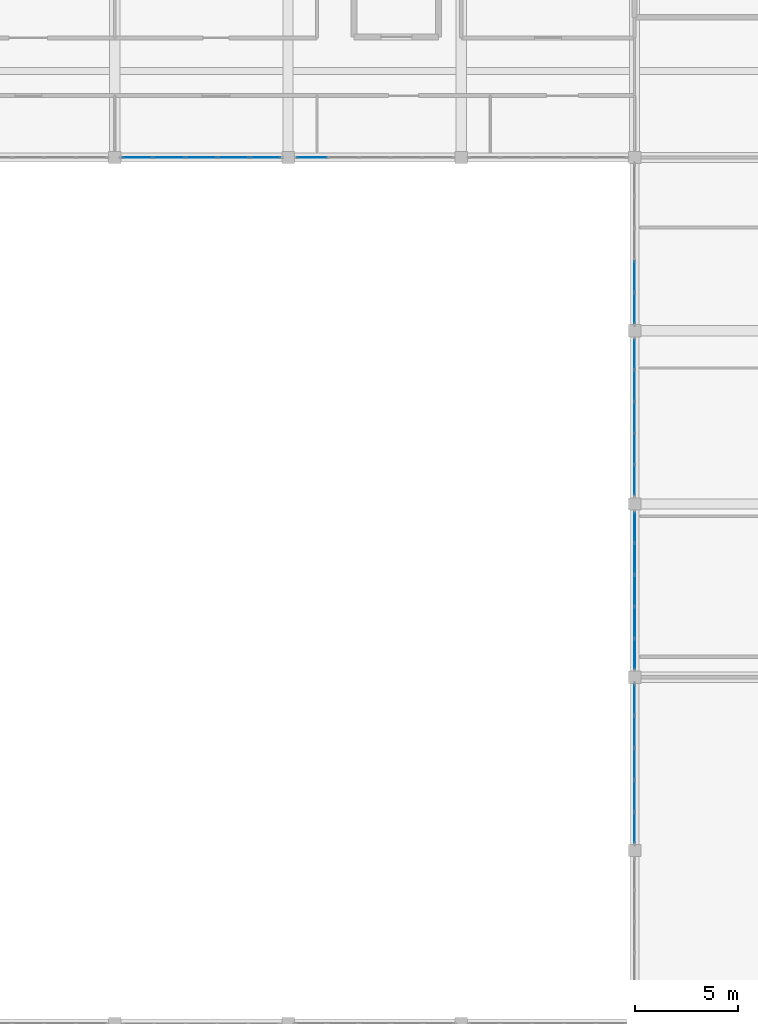
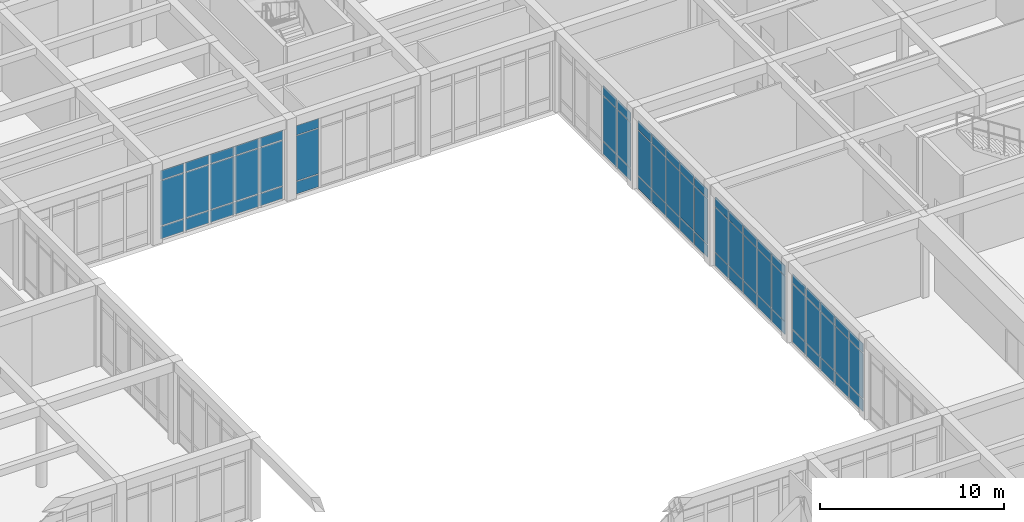
# One storey, part 50 of 89: 69 plates, 6 elements without a shape of their own.
"""IFC4 building model written with IfcOpenShell, lengths in metres."""

from ifc_helpers import new_model, si_unit, direction, frame, origin, origin_2d, place, context, subcontext, project, spatial, rectangle, extrude, material, layer, layer_set, type_object, element, aggregate, save


model = new_model("IFC4")

# Units and contexts
model_context = context("Model", 3, precision=1e-05, world=origin(), true_north=direction((0.0, 1.0)))
body_context = subcontext(model_context, "Body", "Model", "MODEL_VIEW")
ifc_project = project(units=[si_unit("LENGTHUNIT", "METRE"), si_unit("AREAUNIT", "SQUARE_METRE"), si_unit("VOLUMEUNIT", "CUBIC_METRE"), si_unit("PLANEANGLEUNIT", "RADIAN"), si_unit("MASSUNIT", "GRAM", prefix="KILO")], contexts=[model_context])

# Site, building, storey
site_placement = place(None, origin())
site = spatial("IfcSite", under=ifc_project, at=site_placement, CompositionType="ELEMENT")
building_placement = place(site_placement, origin())
building = spatial("IfcBuilding", under=site, at=building_placement, Name="Varncliffe General Hospital", CompositionType="ELEMENT")
storey_placement = place(building_placement, frame((0.0, 0.0, 10.800048828125)))
storey = spatial("IfcBuildingStorey", under=building, at=storey_placement, Name="L02", CompositionType="ELEMENT", Elevation=10.800048828125)

# Curtain wall, plates
ifc_material = material(Name="Triple low-E argon insulated vision glazing", Category="glass")
curtain_wall_type_1 = type_object("IfcCurtainWallType", Name="Unitised Glazed Curtain Wall CW70 (7724x4640)", PredefinedType="USERDEFINED", material=ifc_material)
curtain_wall_1_placement = place(storey_placement, origin())
curtain_wall_1 = element("IfcCurtainWall", 1, at=curtain_wall_1_placement, inside=storey, type_object=curtain_wall_type_1, Name="L02 Glazed Curtain Wall CW70-124", ObjectType="GLAZED CURTAIN WALL", PredefinedType="USERDEFINED")
ifc_layer_1 = layer(ifc_material, 0.0439453125)
ifc_layer_set_1 = layer_set([ifc_layer_1], Name="Triple low-E argon insulated vision glazing")
plate_type_1 = type_object("IfcPlateType", Name="Curtain Wall Glazing Panel CP12 (44mm)", PredefinedType="CURTAIN_PANEL", material=ifc_layer_set_1)
plate_1_placement = place(storey_placement, frame((151.199951171875, 58.729248046875, 0.059814453125), z_axis=(0.0, 0.0, 1.0), x_axis=(0.0, 1.0, 0.0)))
plate_1 = element("IfcPlate", 2, at=plate_1_placement, type_object=plate_type_1, Name="CW70 panel 1.1", PredefinedType="CURTAIN_PANEL", context=body_context, shape_type="SweptSolid", body=[
    extrude(rectangle(XDim=1.432373046875, YDim=0.0439453125, at=origin_2d()), origin(), (0.0, 0.0, 1.0), 0.81005859375),
])
plate_2_placement = place(storey_placement, frame((151.199951171875, 58.729248046875, 0.929931640625), z_axis=(0.0, 0.0, 1.0), x_axis=(0.0, 1.0, 0.0)))
plate_2 = element("IfcPlate", 3, at=plate_2_placement, type_object=plate_type_1, Name="CW70 panel 1.2", PredefinedType="CURTAIN_PANEL", context=body_context, shape_type="SweptSolid", body=[
    extrude(rectangle(XDim=1.432373046875, YDim=0.0439453125, at=origin_2d()), origin(), (0.0, 0.0, 1.0), 2.97998046875),
])
plate_3_placement = place(storey_placement, frame((151.199951171875, 58.729248046875, 3.9697265625), z_axis=(0.0, 0.0, 1.0), x_axis=(0.0, 1.0, 0.0)))
plate_3 = element("IfcPlate", 4, at=plate_3_placement, type_object=plate_type_1, Name="CW70 panel 1.3", PredefinedType="CURTAIN_PANEL", context=body_context, shape_type="SweptSolid", body=[
    extrude(rectangle(XDim=1.432373046875, YDim=0.0439453125, at=origin_2d()), origin(), (0.0, 0.0, 1.0), 0.610107421875),
])
plate_4_placement = place(storey_placement, frame((151.199951171875, 60.255126953125, 0.059814453125), z_axis=(0.0, 0.0, 1.0), x_axis=(0.0, 1.0, 0.0)))
plate_4 = element("IfcPlate", 5, at=plate_4_placement, type_object=plate_type_1, Name="CW70 panel 2.1", PredefinedType="CURTAIN_PANEL", context=body_context, shape_type="SweptSolid", body=[
    extrude(rectangle(XDim=1.4697265625, YDim=0.0439453125, at=origin_2d()), origin(), (0.0, 0.0, 1.0), 0.81005859375),
])
plate_5_placement = place(storey_placement, frame((151.199951171875, 60.255126953125, 0.929931640625), z_axis=(0.0, 0.0, 1.0), x_axis=(0.0, 1.0, 0.0)))
plate_5 = element("IfcPlate", 6, at=plate_5_placement, type_object=plate_type_1, Name="CW70 panel 2.2", PredefinedType="CURTAIN_PANEL", context=body_context, shape_type="SweptSolid", body=[
    extrude(rectangle(XDim=1.4697265625, YDim=0.0439453125, at=origin_2d()), origin(), (0.0, 0.0, 1.0), 2.97998046875),
])
plate_6_placement = place(storey_placement, frame((151.199951171875, 60.255126953125, 3.9697265625), z_axis=(0.0, 0.0, 1.0), x_axis=(0.0, 1.0, 0.0)))
plate_6 = element("IfcPlate", 7, at=plate_6_placement, type_object=plate_type_1, Name="CW70 panel 2.3", PredefinedType="CURTAIN_PANEL", context=body_context, shape_type="SweptSolid", body=[
    extrude(rectangle(XDim=1.4697265625, YDim=0.0439453125, at=origin_2d()), origin(), (0.0, 0.0, 1.0), 0.610107421875),
])
plate_7_placement = place(storey_placement, frame((151.199951171875, 61.800048828125, 0.059814453125), z_axis=(0.0, 0.0, 1.0), x_axis=(0.0, 1.0, 0.0)))
plate_7 = element("IfcPlate", 8, at=plate_7_placement, type_object=plate_type_1, Name="CW70 panel 3.1", PredefinedType="CURTAIN_PANEL", context=body_context, shape_type="SweptSolid", body=[
    extrude(rectangle(XDim=1.4697265625, YDim=0.0439453125, at=origin_2d()), origin(), (0.0, 0.0, 1.0), 0.81005859375),
])
plate_8_placement = place(storey_placement, frame((151.199951171875, 61.800048828125, 0.929931640625), z_axis=(0.0, 0.0, 1.0), x_axis=(0.0, 1.0, 0.0)))
plate_8 = element("IfcPlate", 9, at=plate_8_placement, type_object=plate_type_1, Name="CW70 panel 3.2", PredefinedType="CURTAIN_PANEL", context=body_context, shape_type="SweptSolid", body=[
    extrude(rectangle(XDim=1.4697265625, YDim=0.0439453125, at=origin_2d()), origin(), (0.0, 0.0, 1.0), 2.97998046875),
])
plate_9_placement = place(storey_placement, frame((151.199951171875, 61.800048828125, 3.9697265625), z_axis=(0.0, 0.0, 1.0), x_axis=(0.0, 1.0, 0.0)))
plate_9 = element("IfcPlate", 10, at=plate_9_placement, type_object=plate_type_1, Name="CW70 panel 3.3", PredefinedType="CURTAIN_PANEL", context=body_context, shape_type="SweptSolid", body=[
    extrude(rectangle(XDim=1.4697265625, YDim=0.0439453125, at=origin_2d()), origin(), (0.0, 0.0, 1.0), 0.610107421875),
])
plate_10_placement = place(storey_placement, frame((151.199951171875, 63.3447265625, 0.059814453125), z_axis=(0.0, 0.0, 1.0), x_axis=(0.0, 1.0, 0.0)))
plate_10 = element("IfcPlate", 11, at=plate_10_placement, type_object=plate_type_1, Name="CW70 panel 4.1", PredefinedType="CURTAIN_PANEL", context=body_context, shape_type="SweptSolid", body=[
    extrude(rectangle(XDim=1.4697265625, YDim=0.0439453125, at=origin_2d()), origin(), (0.0, 0.0, 1.0), 0.81005859375),
])
plate_11_placement = place(storey_placement, frame((151.199951171875, 63.3447265625, 0.929931640625), z_axis=(0.0, 0.0, 1.0), x_axis=(0.0, 1.0, 0.0)))
plate_11 = element("IfcPlate", 12, at=plate_11_placement, type_object=plate_type_1, Name="CW70 panel 4.2", PredefinedType="CURTAIN_PANEL", context=body_context, shape_type="SweptSolid", body=[
    extrude(rectangle(XDim=1.4697265625, YDim=0.0439453125, at=origin_2d()), origin(), (0.0, 0.0, 1.0), 2.97998046875),
])
plate_12_placement = place(storey_placement, frame((151.199951171875, 63.3447265625, 3.9697265625), z_axis=(0.0, 0.0, 1.0), x_axis=(0.0, 1.0, 0.0)))
plate_12 = element("IfcPlate", 13, at=plate_12_placement, type_object=plate_type_1, Name="CW70 panel 4.3", PredefinedType="CURTAIN_PANEL", context=body_context, shape_type="SweptSolid", body=[
    extrude(rectangle(XDim=1.4697265625, YDim=0.0439453125, at=origin_2d()), origin(), (0.0, 0.0, 1.0), 0.610107421875),
])
plate_13_placement = place(storey_placement, frame((151.199951171875, 64.870849609375, 0.059814453125), z_axis=(0.0, 0.0, 1.0), x_axis=(0.0, 1.0, 0.0)))
plate_13 = element("IfcPlate", 14, at=plate_13_placement, type_object=plate_type_1, Name="CW70 panel 5.1", PredefinedType="CURTAIN_PANEL", context=body_context, shape_type="SweptSolid", body=[
    extrude(rectangle(XDim=1.432373046875, YDim=0.0439453125, at=origin_2d()), origin(), (0.0, 0.0, 1.0), 0.81005859375),
])
plate_14_placement = place(storey_placement, frame((151.199951171875, 64.870849609375, 0.929931640625), z_axis=(0.0, 0.0, 1.0), x_axis=(0.0, 1.0, 0.0)))
plate_14 = element("IfcPlate", 15, at=plate_14_placement, type_object=plate_type_1, Name="CW70 panel 5.2", PredefinedType="CURTAIN_PANEL", context=body_context, shape_type="SweptSolid", body=[
    extrude(rectangle(XDim=1.432373046875, YDim=0.0439453125, at=origin_2d()), origin(), (0.0, 0.0, 1.0), 2.97998046875),
])
plate_15_placement = place(storey_placement, frame((151.199951171875, 64.870849609375, 3.9697265625), z_axis=(0.0, 0.0, 1.0), x_axis=(0.0, 1.0, 0.0)))
plate_15 = element("IfcPlate", 16, at=plate_15_placement, type_object=plate_type_1, Name="CW70 panel 5.3", PredefinedType="CURTAIN_PANEL", context=body_context, shape_type="SweptSolid", body=[
    extrude(rectangle(XDim=1.432373046875, YDim=0.0439453125, at=origin_2d()), origin(), (0.0, 0.0, 1.0), 0.610107421875),
])
aggregate(curtain_wall_1, [plate_1, plate_2, plate_3, plate_4, plate_5, plate_6, plate_7, plate_8, plate_9, plate_10, plate_11, plate_12, plate_13, plate_14, plate_15])

curtain_wall_type_2 = type_object("IfcCurtainWallType", Name="Unitised Glazed Curtain Wall CW85 (7804x4640)", PredefinedType="USERDEFINED", material=ifc_material)
curtain_wall_2_placement = place(storey_placement, origin())
curtain_wall_2 = element("IfcCurtainWall", 17, at=curtain_wall_2_placement, inside=storey, type_object=curtain_wall_type_2, Name="L02 Glazed Curtain Wall CW85-123", ObjectType="GLAZED CURTAIN WALL", PredefinedType="USERDEFINED")
ifc_layer_2 = layer(ifc_material, 0.035888671875)
ifc_layer_set_2 = layer_set([ifc_layer_2], Name="Triple low-E argon insulated vision glazing")
plate_type_2 = type_object("IfcPlateType", Name="Curtain Wall Glazing Panel CP27 (36mm)", PredefinedType="CURTAIN_PANEL", material=ifc_layer_set_2)
plate_16_placement = place(storey_placement, frame((151.199951171875, 50.297119140625, 0.06494140625), z_axis=(0.0, 0.0, 1.0), x_axis=(0.0, 1.0, 0.0)))
plate_16 = element("IfcPlate", 18, at=plate_16_placement, type_object=plate_type_2, Name="CW85 panel 1.1", PredefinedType="CURTAIN_PANEL", context=body_context, shape_type="SweptSolid", body=[
    extrude(rectangle(XDim=1.4482421875, YDim=0.035888671875, at=origin_2d()), origin(), (0.0, 0.0, 1.0), 0.802490234375),
])
plate_17_placement = place(storey_placement, frame((151.199951171875, 50.297119140625, 0.932373046875), z_axis=(0.0, 0.0, 1.0), x_axis=(0.0, 1.0, 0.0)))
plate_17 = element("IfcPlate", 19, at=plate_17_placement, type_object=plate_type_2, Name="CW85 panel 1.2", PredefinedType="CURTAIN_PANEL", context=body_context, shape_type="SweptSolid", body=[
    extrude(rectangle(XDim=1.4482421875, YDim=0.035888671875, at=origin_2d()), origin(), (0.0, 0.0, 1.0), 2.97509765625),
])
plate_18_placement = place(storey_placement, frame((151.199951171875, 50.297119140625, 3.972412109375), z_axis=(0.0, 0.0, 1.0), x_axis=(0.0, 1.0, 0.0)))
plate_18 = element("IfcPlate", 20, at=plate_18_placement, type_object=plate_type_2, Name="CW85 panel 1.3", PredefinedType="CURTAIN_PANEL", context=body_context, shape_type="SweptSolid", body=[
    extrude(rectangle(XDim=1.4482421875, YDim=0.035888671875, at=origin_2d()), origin(), (0.0, 0.0, 1.0), 0.6025390625),
])
plate_19_placement = place(storey_placement, frame((151.199951171875, 51.839111328125, 0.06494140625), z_axis=(0.0, 0.0, 1.0), x_axis=(0.0, 1.0, 0.0)))
plate_19 = element("IfcPlate", 21, at=plate_19_placement, type_object=plate_type_2, Name="CW85 panel 2.1", PredefinedType="CURTAIN_PANEL", context=body_context, shape_type="SweptSolid", body=[
    extrude(rectangle(XDim=1.48583984375, YDim=0.035888671875, at=origin_2d()), origin(), (0.0, 0.0, 1.0), 0.802490234375),
])
plate_20_placement = place(storey_placement, frame((151.199951171875, 51.839111328125, 0.932373046875), z_axis=(0.0, 0.0, 1.0), x_axis=(0.0, 1.0, 0.0)))
plate_20 = element("IfcPlate", 22, at=plate_20_placement, type_object=plate_type_2, Name="CW85 panel 2.2", PredefinedType="CURTAIN_PANEL", context=body_context, shape_type="SweptSolid", body=[
    extrude(rectangle(XDim=1.48583984375, YDim=0.035888671875, at=origin_2d()), origin(), (0.0, 0.0, 1.0), 2.97509765625),
])
plate_21_placement = place(storey_placement, frame((151.199951171875, 51.839111328125, 3.972412109375), z_axis=(0.0, 0.0, 1.0), x_axis=(0.0, 1.0, 0.0)))
plate_21 = element("IfcPlate", 23, at=plate_21_placement, type_object=plate_type_2, Name="CW85 panel 2.3", PredefinedType="CURTAIN_PANEL", context=body_context, shape_type="SweptSolid", body=[
    extrude(rectangle(XDim=1.48583984375, YDim=0.035888671875, at=origin_2d()), origin(), (0.0, 0.0, 1.0), 0.6025390625),
])
plate_22_placement = place(storey_placement, frame((151.199951171875, 53.39990234375, 0.06494140625), z_axis=(0.0, 0.0, 1.0), x_axis=(0.0, 1.0, 0.0)))
plate_22 = element("IfcPlate", 24, at=plate_22_placement, type_object=plate_type_2, Name="CW85 panel 3.1", PredefinedType="CURTAIN_PANEL", context=body_context, shape_type="SweptSolid", body=[
    extrude(rectangle(XDim=1.48583984375, YDim=0.035888671875, at=origin_2d()), origin(), (0.0, 0.0, 1.0), 0.802490234375),
])
plate_23_placement = place(storey_placement, frame((151.199951171875, 53.39990234375, 0.932373046875), z_axis=(0.0, 0.0, 1.0), x_axis=(0.0, 1.0, 0.0)))
plate_23 = element("IfcPlate", 25, at=plate_23_placement, type_object=plate_type_2, Name="CW85 panel 3.2", PredefinedType="CURTAIN_PANEL", context=body_context, shape_type="SweptSolid", body=[
    extrude(rectangle(XDim=1.48583984375, YDim=0.035888671875, at=origin_2d()), origin(), (0.0, 0.0, 1.0), 2.97509765625),
])
plate_24_placement = place(storey_placement, frame((151.199951171875, 53.39990234375, 3.972412109375), z_axis=(0.0, 0.0, 1.0), x_axis=(0.0, 1.0, 0.0)))
plate_24 = element("IfcPlate", 26, at=plate_24_placement, type_object=plate_type_2, Name="CW85 panel 3.3", PredefinedType="CURTAIN_PANEL", context=body_context, shape_type="SweptSolid", body=[
    extrude(rectangle(XDim=1.48583984375, YDim=0.035888671875, at=origin_2d()), origin(), (0.0, 0.0, 1.0), 0.6025390625),
])
plate_25_placement = place(storey_placement, frame((151.199951171875, 54.960693359375, 0.06494140625), z_axis=(0.0, 0.0, 1.0), x_axis=(0.0, 1.0, 0.0)))
plate_25 = element("IfcPlate", 27, at=plate_25_placement, type_object=plate_type_2, Name="CW85 panel 4.1", PredefinedType="CURTAIN_PANEL", context=body_context, shape_type="SweptSolid", body=[
    extrude(rectangle(XDim=1.48583984375, YDim=0.035888671875, at=origin_2d()), origin(), (0.0, 0.0, 1.0), 0.802490234375),
])
plate_26_placement = place(storey_placement, frame((151.199951171875, 54.960693359375, 0.932373046875), z_axis=(0.0, 0.0, 1.0), x_axis=(0.0, 1.0, 0.0)))
plate_26 = element("IfcPlate", 28, at=plate_26_placement, type_object=plate_type_2, Name="CW85 panel 4.2", PredefinedType="CURTAIN_PANEL", context=body_context, shape_type="SweptSolid", body=[
    extrude(rectangle(XDim=1.48583984375, YDim=0.035888671875, at=origin_2d()), origin(), (0.0, 0.0, 1.0), 2.97509765625),
])
plate_27_placement = place(storey_placement, frame((151.199951171875, 54.960693359375, 3.972412109375), z_axis=(0.0, 0.0, 1.0), x_axis=(0.0, 1.0, 0.0)))
plate_27 = element("IfcPlate", 29, at=plate_27_placement, type_object=plate_type_2, Name="CW85 panel 4.3", PredefinedType="CURTAIN_PANEL", context=body_context, shape_type="SweptSolid", body=[
    extrude(rectangle(XDim=1.48583984375, YDim=0.035888671875, at=origin_2d()), origin(), (0.0, 0.0, 1.0), 0.6025390625),
])
plate_28_placement = place(storey_placement, frame((151.199951171875, 56.5029296875, 0.06494140625), z_axis=(0.0, 0.0, 1.0), x_axis=(0.0, 1.0, 0.0)))
plate_28 = element("IfcPlate", 30, at=plate_28_placement, type_object=plate_type_2, Name="CW85 panel 5.1", PredefinedType="CURTAIN_PANEL", context=body_context, shape_type="SweptSolid", body=[
    extrude(rectangle(XDim=1.4482421875, YDim=0.035888671875, at=origin_2d()), origin(), (0.0, 0.0, 1.0), 0.802490234375),
])
plate_29_placement = place(storey_placement, frame((151.199951171875, 56.5029296875, 0.932373046875), z_axis=(0.0, 0.0, 1.0), x_axis=(0.0, 1.0, 0.0)))
plate_29 = element("IfcPlate", 31, at=plate_29_placement, type_object=plate_type_2, Name="CW85 panel 5.2", PredefinedType="CURTAIN_PANEL", context=body_context, shape_type="SweptSolid", body=[
    extrude(rectangle(XDim=1.4482421875, YDim=0.035888671875, at=origin_2d()), origin(), (0.0, 0.0, 1.0), 2.97509765625),
])
plate_30_placement = place(storey_placement, frame((151.199951171875, 56.5029296875, 3.972412109375), z_axis=(0.0, 0.0, 1.0), x_axis=(0.0, 1.0, 0.0)))
plate_30 = element("IfcPlate", 32, at=plate_30_placement, type_object=plate_type_2, Name="CW85 panel 5.3", PredefinedType="CURTAIN_PANEL", context=body_context, shape_type="SweptSolid", body=[
    extrude(rectangle(XDim=1.4482421875, YDim=0.035888671875, at=origin_2d()), origin(), (0.0, 0.0, 1.0), 0.6025390625),
])
aggregate(curtain_wall_2, [plate_16, plate_17, plate_18, plate_19, plate_20, plate_21, plate_22, plate_23, plate_24, plate_25, plate_26, plate_27, plate_28, plate_29, plate_30])

curtain_wall_3_placement = place(storey_placement, origin())
curtain_wall_3 = element("IfcCurtainWall", 33, at=curtain_wall_3_placement, inside=storey, type_object=curtain_wall_type_2, Name="L02 Glazed Curtain Wall CW85-126", ObjectType="GLAZED CURTAIN WALL", PredefinedType="USERDEFINED")
plate_31_placement = place(storey_placement, frame((151.199951171875, 75.4970703125, 0.06494140625), z_axis=(0.0, 0.0, 1.0), x_axis=(0.0, 1.0, 0.0)))
plate_31 = element("IfcPlate", 34, at=plate_31_placement, type_object=plate_type_2, Name="CW85 panel 1.1", PredefinedType="CURTAIN_PANEL", context=body_context, shape_type="SweptSolid", body=[
    extrude(rectangle(XDim=1.4482421875, YDim=0.035888671875, at=origin_2d()), origin(), (0.0, 0.0, 1.0), 0.802490234375),
])
plate_32_placement = place(storey_placement, frame((151.199951171875, 75.4970703125, 0.932373046875), z_axis=(0.0, 0.0, 1.0), x_axis=(0.0, 1.0, 0.0)))
plate_32 = element("IfcPlate", 35, at=plate_32_placement, type_object=plate_type_2, Name="CW85 panel 1.2", PredefinedType="CURTAIN_PANEL", context=body_context, shape_type="SweptSolid", body=[
    extrude(rectangle(XDim=1.4482421875, YDim=0.035888671875, at=origin_2d()), origin(), (0.0, 0.0, 1.0), 2.97509765625),
])
plate_33_placement = place(storey_placement, frame((151.199951171875, 75.4970703125, 3.972412109375), z_axis=(0.0, 0.0, 1.0), x_axis=(0.0, 1.0, 0.0)))
plate_33 = element("IfcPlate", 36, at=plate_33_placement, type_object=plate_type_2, Name="CW85 panel 1.3", PredefinedType="CURTAIN_PANEL", context=body_context, shape_type="SweptSolid", body=[
    extrude(rectangle(XDim=1.4482421875, YDim=0.035888671875, at=origin_2d()), origin(), (0.0, 0.0, 1.0), 0.6025390625),
])
plate_34_placement = place(storey_placement, frame((151.199951171875, 77.039306640625, 0.06494140625), z_axis=(0.0, 0.0, 1.0), x_axis=(0.0, 1.0, 0.0)))
plate_34 = element("IfcPlate", 37, at=plate_34_placement, type_object=plate_type_2, Name="CW85 panel 2.1", PredefinedType="CURTAIN_PANEL", context=body_context, shape_type="SweptSolid", body=[
    extrude(rectangle(XDim=1.48583984375, YDim=0.035888671875, at=origin_2d()), origin(), (0.0, 0.0, 1.0), 0.802490234375),
])
plate_35_placement = place(storey_placement, frame((151.199951171875, 77.039306640625, 0.932373046875), z_axis=(0.0, 0.0, 1.0), x_axis=(0.0, 1.0, 0.0)))
plate_35 = element("IfcPlate", 38, at=plate_35_placement, type_object=plate_type_2, Name="CW85 panel 2.2", PredefinedType="CURTAIN_PANEL", context=body_context, shape_type="SweptSolid", body=[
    extrude(rectangle(XDim=1.48583984375, YDim=0.035888671875, at=origin_2d()), origin(), (0.0, 0.0, 1.0), 2.97509765625),
])
plate_36_placement = place(storey_placement, frame((151.199951171875, 77.039306640625, 3.972412109375), z_axis=(0.0, 0.0, 1.0), x_axis=(0.0, 1.0, 0.0)))
plate_36 = element("IfcPlate", 39, at=plate_36_placement, type_object=plate_type_2, Name="CW85 panel 2.3", PredefinedType="CURTAIN_PANEL", context=body_context, shape_type="SweptSolid", body=[
    extrude(rectangle(XDim=1.48583984375, YDim=0.035888671875, at=origin_2d()), origin(), (0.0, 0.0, 1.0), 0.6025390625),
])
aggregate(curtain_wall_3, [plate_31, plate_32, plate_33, plate_34, plate_35, plate_36])

curtain_wall_4_placement = place(storey_placement, origin())
curtain_wall_4 = element("IfcCurtainWall", 40, at=curtain_wall_4_placement, inside=storey, type_object=curtain_wall_type_2, Name="L02 Glazed Curtain Wall CW85-129", ObjectType="GLAZED CURTAIN WALL", PredefinedType="USERDEFINED")
plate_37_placement = place(storey_placement, frame((133.302734375, 82.800048828125, 0.06494140625), z_axis=(0.0, 0.0, 1.0), x_axis=(-1.0, 0.0, 0.0)))
plate_37 = element("IfcPlate", 41, at=plate_37_placement, type_object=plate_type_2, Name="CW85 panel 1.1", PredefinedType="CURTAIN_PANEL", context=body_context, shape_type="SweptSolid", body=[
    extrude(rectangle(XDim=1.4482421875, YDim=0.035888671875, at=origin_2d()), origin(), (0.0, 0.0, 1.0), 0.802490234375),
])
plate_38_placement = place(storey_placement, frame((133.302734375, 82.800048828125, 0.932373046875), z_axis=(0.0, 0.0, 1.0), x_axis=(-1.0, 0.0, 0.0)))
plate_38 = element("IfcPlate", 42, at=plate_38_placement, type_object=plate_type_2, Name="CW85 panel 1.2", PredefinedType="CURTAIN_PANEL", context=body_context, shape_type="SweptSolid", body=[
    extrude(rectangle(XDim=1.4482421875, YDim=0.035888671875, at=origin_2d()), origin(), (0.0, 0.0, 1.0), 2.97509765625),
])
plate_39_placement = place(storey_placement, frame((133.302734375, 82.800048828125, 3.972412109375), z_axis=(0.0, 0.0, 1.0), x_axis=(-1.0, 0.0, 0.0)))
plate_39 = element("IfcPlate", 43, at=plate_39_placement, type_object=plate_type_2, Name="CW85 panel 1.3", PredefinedType="CURTAIN_PANEL", context=body_context, shape_type="SweptSolid", body=[
    extrude(rectangle(XDim=1.4482421875, YDim=0.035888671875, at=origin_2d()), origin(), (0.0, 0.0, 1.0), 0.6025390625),
])
plate_40_placement = place(storey_placement, frame((131.7607421875, 82.800048828125, 0.06494140625), z_axis=(0.0, 0.0, 1.0), x_axis=(-1.0, 0.0, 0.0)))
plate_40 = element("IfcPlate", 44, at=plate_40_placement, type_object=plate_type_2, Name="CW85 panel 2.1", PredefinedType="CURTAIN_PANEL", context=body_context, shape_type="SweptSolid", body=[
    extrude(rectangle(XDim=1.48583984375, YDim=0.035888671875, at=origin_2d()), origin(), (0.0, 0.0, 1.0), 0.802490234375),
])
plate_41_placement = place(storey_placement, frame((131.7607421875, 82.800048828125, 0.932373046875), z_axis=(0.0, 0.0, 1.0), x_axis=(-1.0, 0.0, 0.0)))
plate_41 = element("IfcPlate", 45, at=plate_41_placement, type_object=plate_type_2, Name="CW85 panel 2.2", PredefinedType="CURTAIN_PANEL", context=body_context, shape_type="SweptSolid", body=[
    extrude(rectangle(XDim=1.48583984375, YDim=0.035888671875, at=origin_2d()), origin(), (0.0, 0.0, 1.0), 2.97509765625),
])
plate_42_placement = place(storey_placement, frame((131.7607421875, 82.800048828125, 3.972412109375), z_axis=(0.0, 0.0, 1.0), x_axis=(-1.0, 0.0, 0.0)))
plate_42 = element("IfcPlate", 46, at=plate_42_placement, type_object=plate_type_2, Name="CW85 panel 2.3", PredefinedType="CURTAIN_PANEL", context=body_context, shape_type="SweptSolid", body=[
    extrude(rectangle(XDim=1.48583984375, YDim=0.035888671875, at=origin_2d()), origin(), (0.0, 0.0, 1.0), 0.6025390625),
])
plate_43_placement = place(storey_placement, frame((130.199951171875, 82.800048828125, 0.06494140625), z_axis=(0.0, 0.0, 1.0), x_axis=(-1.0, 0.0, 0.0)))
plate_43 = element("IfcPlate", 47, at=plate_43_placement, type_object=plate_type_2, Name="CW85 panel 3.1", PredefinedType="CURTAIN_PANEL", context=body_context, shape_type="SweptSolid", body=[
    extrude(rectangle(XDim=1.48583984375, YDim=0.035888671875, at=origin_2d()), origin(), (0.0, 0.0, 1.0), 0.802490234375),
])
plate_44_placement = place(storey_placement, frame((130.199951171875, 82.800048828125, 0.932373046875), z_axis=(0.0, 0.0, 1.0), x_axis=(-1.0, 0.0, 0.0)))
plate_44 = element("IfcPlate", 48, at=plate_44_placement, type_object=plate_type_2, Name="CW85 panel 3.2", PredefinedType="CURTAIN_PANEL", context=body_context, shape_type="SweptSolid", body=[
    extrude(rectangle(XDim=1.48583984375, YDim=0.035888671875, at=origin_2d()), origin(), (0.0, 0.0, 1.0), 2.97509765625),
])
plate_45_placement = place(storey_placement, frame((130.199951171875, 82.800048828125, 3.972412109375), z_axis=(0.0, 0.0, 1.0), x_axis=(-1.0, 0.0, 0.0)))
plate_45 = element("IfcPlate", 49, at=plate_45_placement, type_object=plate_type_2, Name="CW85 panel 3.3", PredefinedType="CURTAIN_PANEL", context=body_context, shape_type="SweptSolid", body=[
    extrude(rectangle(XDim=1.48583984375, YDim=0.035888671875, at=origin_2d()), origin(), (0.0, 0.0, 1.0), 0.6025390625),
])
plate_46_placement = place(storey_placement, frame((128.63916015625, 82.800048828125, 0.06494140625), z_axis=(0.0, 0.0, 1.0), x_axis=(-1.0, 0.0, 0.0)))
plate_46 = element("IfcPlate", 50, at=plate_46_placement, type_object=plate_type_2, Name="CW85 panel 4.1", PredefinedType="CURTAIN_PANEL", context=body_context, shape_type="SweptSolid", body=[
    extrude(rectangle(XDim=1.48583984375, YDim=0.035888671875, at=origin_2d()), origin(), (0.0, 0.0, 1.0), 0.802490234375),
])
plate_47_placement = place(storey_placement, frame((128.63916015625, 82.800048828125, 0.932373046875), z_axis=(0.0, 0.0, 1.0), x_axis=(-1.0, 0.0, 0.0)))
plate_47 = element("IfcPlate", 51, at=plate_47_placement, type_object=plate_type_2, Name="CW85 panel 4.2", PredefinedType="CURTAIN_PANEL", context=body_context, shape_type="SweptSolid", body=[
    extrude(rectangle(XDim=1.48583984375, YDim=0.035888671875, at=origin_2d()), origin(), (0.0, 0.0, 1.0), 2.97509765625),
])
plate_48_placement = place(storey_placement, frame((128.63916015625, 82.800048828125, 3.972412109375), z_axis=(0.0, 0.0, 1.0), x_axis=(-1.0, 0.0, 0.0)))
plate_48 = element("IfcPlate", 52, at=plate_48_placement, type_object=plate_type_2, Name="CW85 panel 4.3", PredefinedType="CURTAIN_PANEL", context=body_context, shape_type="SweptSolid", body=[
    extrude(rectangle(XDim=1.48583984375, YDim=0.035888671875, at=origin_2d()), origin(), (0.0, 0.0, 1.0), 0.6025390625),
])
plate_49_placement = place(storey_placement, frame((127.09716796875, 82.800048828125, 0.06494140625), z_axis=(0.0, 0.0, 1.0), x_axis=(-1.0, 0.0, 0.0)))
plate_49 = element("IfcPlate", 53, at=plate_49_placement, type_object=plate_type_2, Name="CW85 panel 5.1", PredefinedType="CURTAIN_PANEL", context=body_context, shape_type="SweptSolid", body=[
    extrude(rectangle(XDim=1.4482421875, YDim=0.035888671875, at=origin_2d()), origin(), (0.0, 0.0, 1.0), 0.802490234375),
])
plate_50_placement = place(storey_placement, frame((127.09716796875, 82.800048828125, 0.932373046875), z_axis=(0.0, 0.0, 1.0), x_axis=(-1.0, 0.0, 0.0)))
plate_50 = element("IfcPlate", 54, at=plate_50_placement, type_object=plate_type_2, Name="CW85 panel 5.2", PredefinedType="CURTAIN_PANEL", context=body_context, shape_type="SweptSolid", body=[
    extrude(rectangle(XDim=1.4482421875, YDim=0.035888671875, at=origin_2d()), origin(), (0.0, 0.0, 1.0), 2.97509765625),
])
plate_51_placement = place(storey_placement, frame((127.09716796875, 82.800048828125, 3.972412109375), z_axis=(0.0, 0.0, 1.0), x_axis=(-1.0, 0.0, 0.0)))
plate_51 = element("IfcPlate", 55, at=plate_51_placement, type_object=plate_type_2, Name="CW85 panel 5.3", PredefinedType="CURTAIN_PANEL", context=body_context, shape_type="SweptSolid", body=[
    extrude(rectangle(XDim=1.4482421875, YDim=0.035888671875, at=origin_2d()), origin(), (0.0, 0.0, 1.0), 0.6025390625),
])
aggregate(curtain_wall_4, [plate_37, plate_38, plate_39, plate_40, plate_41, plate_42, plate_43, plate_44, plate_45, plate_46, plate_47, plate_48, plate_49, plate_50, plate_51])

curtain_wall_type_3 = type_object("IfcCurtainWallType", Name="Unitised Glazed Curtain Wall CW27 (7644x4640)", PredefinedType="USERDEFINED", material=ifc_material)
curtain_wall_5_placement = place(storey_placement, origin())
curtain_wall_5 = element("IfcCurtainWall", 56, at=curtain_wall_5_placement, inside=storey, type_object=curtain_wall_type_3, Name="L02 Glazed Curtain Wall CW27-125", ObjectType="GLAZED CURTAIN WALL", PredefinedType="USERDEFINED")
ifc_layer_3 = layer(ifc_material, 0.028076171875)
ifc_layer_set_3 = layer_set([ifc_layer_3], Name="Triple low-E argon insulated vision glazing")
plate_type_3 = type_object("IfcPlateType", Name="Curtain Wall Glazing Panel CP48 (28mm)", PredefinedType="CURTAIN_PANEL", material=ifc_layer_set_3)
plate_52_placement = place(storey_placement, frame((151.199951171875, 67.15869140625, 0.059814453125), z_axis=(0.0, 0.0, 1.0), x_axis=(0.0, 1.0, 0.0)))
plate_52 = element("IfcPlate", 57, at=plate_52_placement, type_object=plate_type_3, Name="CW27 panel 1.1", PredefinedType="CURTAIN_PANEL", context=body_context, shape_type="SweptSolid", body=[
    extrude(rectangle(XDim=1.431396484375, YDim=0.028076171875, at=origin_2d()), origin(), (0.0, 0.0, 1.0), 0.81005859375),
])
plate_53_placement = place(storey_placement, frame((151.199951171875, 67.15869140625, 0.929931640625), z_axis=(0.0, 0.0, 1.0), x_axis=(0.0, 1.0, 0.0)))
plate_53 = element("IfcPlate", 58, at=plate_53_placement, type_object=plate_type_3, Name="CW27 panel 1.2", PredefinedType="CURTAIN_PANEL", context=body_context, shape_type="SweptSolid", body=[
    extrude(rectangle(XDim=1.431396484375, YDim=0.028076171875, at=origin_2d()), origin(), (0.0, 0.0, 1.0), 2.97998046875),
])
plate_54_placement = place(storey_placement, frame((151.199951171875, 67.15869140625, 3.9697265625), z_axis=(0.0, 0.0, 1.0), x_axis=(0.0, 1.0, 0.0)))
plate_54 = element("IfcPlate", 59, at=plate_54_placement, type_object=plate_type_3, Name="CW27 panel 1.3", PredefinedType="CURTAIN_PANEL", context=body_context, shape_type="SweptSolid", body=[
    extrude(rectangle(XDim=1.431396484375, YDim=0.028076171875, at=origin_2d()), origin(), (0.0, 0.0, 1.0), 0.610107421875),
])
plate_55_placement = place(storey_placement, frame((151.199951171875, 68.671142578125, 0.059814453125), z_axis=(0.0, 0.0, 1.0), x_axis=(0.0, 1.0, 0.0)))
plate_55 = element("IfcPlate", 60, at=plate_55_placement, type_object=plate_type_3, Name="CW27 panel 2.1", PredefinedType="CURTAIN_PANEL", context=body_context, shape_type="SweptSolid", body=[
    extrude(rectangle(XDim=1.4638671875, YDim=0.028076171875, at=origin_2d()), origin(), (0.0, 0.0, 1.0), 0.81005859375),
])
plate_56_placement = place(storey_placement, frame((151.199951171875, 68.671142578125, 0.929931640625), z_axis=(0.0, 0.0, 1.0), x_axis=(0.0, 1.0, 0.0)))
plate_56 = element("IfcPlate", 61, at=plate_56_placement, type_object=plate_type_3, Name="CW27 panel 2.2", PredefinedType="CURTAIN_PANEL", context=body_context, shape_type="SweptSolid", body=[
    extrude(rectangle(XDim=1.4638671875, YDim=0.028076171875, at=origin_2d()), origin(), (0.0, 0.0, 1.0), 2.97998046875),
])
plate_57_placement = place(storey_placement, frame((151.199951171875, 68.671142578125, 3.9697265625), z_axis=(0.0, 0.0, 1.0), x_axis=(0.0, 1.0, 0.0)))
plate_57 = element("IfcPlate", 62, at=plate_57_placement, type_object=plate_type_3, Name="CW27 panel 2.3", PredefinedType="CURTAIN_PANEL", context=body_context, shape_type="SweptSolid", body=[
    extrude(rectangle(XDim=1.4638671875, YDim=0.028076171875, at=origin_2d()), origin(), (0.0, 0.0, 1.0), 0.610107421875),
])
plate_58_placement = place(storey_placement, frame((151.199951171875, 70.199951171875, 0.059814453125), z_axis=(0.0, 0.0, 1.0), x_axis=(0.0, 1.0, 0.0)))
plate_58 = element("IfcPlate", 63, at=plate_58_placement, type_object=plate_type_3, Name="CW27 panel 3.1", PredefinedType="CURTAIN_PANEL", context=body_context, shape_type="SweptSolid", body=[
    extrude(rectangle(XDim=1.4638671875, YDim=0.028076171875, at=origin_2d()), origin(), (0.0, 0.0, 1.0), 0.81005859375),
])
plate_59_placement = place(storey_placement, frame((151.199951171875, 70.199951171875, 0.929931640625), z_axis=(0.0, 0.0, 1.0), x_axis=(0.0, 1.0, 0.0)))
plate_59 = element("IfcPlate", 64, at=plate_59_placement, type_object=plate_type_3, Name="CW27 panel 3.2", PredefinedType="CURTAIN_PANEL", context=body_context, shape_type="SweptSolid", body=[
    extrude(rectangle(XDim=1.4638671875, YDim=0.028076171875, at=origin_2d()), origin(), (0.0, 0.0, 1.0), 2.97998046875),
])
plate_60_placement = place(storey_placement, frame((151.199951171875, 70.199951171875, 3.9697265625), z_axis=(0.0, 0.0, 1.0), x_axis=(0.0, 1.0, 0.0)))
plate_60 = element("IfcPlate", 65, at=plate_60_placement, type_object=plate_type_3, Name="CW27 panel 3.3", PredefinedType="CURTAIN_PANEL", context=body_context, shape_type="SweptSolid", body=[
    extrude(rectangle(XDim=1.4638671875, YDim=0.028076171875, at=origin_2d()), origin(), (0.0, 0.0, 1.0), 0.610107421875),
])
plate_61_placement = place(storey_placement, frame((151.199951171875, 71.728759765625, 0.059814453125), z_axis=(0.0, 0.0, 1.0), x_axis=(0.0, 1.0, 0.0)))
plate_61 = element("IfcPlate", 66, at=plate_61_placement, type_object=plate_type_3, Name="CW27 panel 4.1", PredefinedType="CURTAIN_PANEL", context=body_context, shape_type="SweptSolid", body=[
    extrude(rectangle(XDim=1.4638671875, YDim=0.028076171875, at=origin_2d()), origin(), (0.0, 0.0, 1.0), 0.81005859375),
])
plate_62_placement = place(storey_placement, frame((151.199951171875, 71.728759765625, 0.929931640625), z_axis=(0.0, 0.0, 1.0), x_axis=(0.0, 1.0, 0.0)))
plate_62 = element("IfcPlate", 67, at=plate_62_placement, type_object=plate_type_3, Name="CW27 panel 4.2", PredefinedType="CURTAIN_PANEL", context=body_context, shape_type="SweptSolid", body=[
    extrude(rectangle(XDim=1.4638671875, YDim=0.028076171875, at=origin_2d()), origin(), (0.0, 0.0, 1.0), 2.97998046875),
])
plate_63_placement = place(storey_placement, frame((151.199951171875, 71.728759765625, 3.9697265625), z_axis=(0.0, 0.0, 1.0), x_axis=(0.0, 1.0, 0.0)))
plate_63 = element("IfcPlate", 68, at=plate_63_placement, type_object=plate_type_3, Name="CW27 panel 4.3", PredefinedType="CURTAIN_PANEL", context=body_context, shape_type="SweptSolid", body=[
    extrude(rectangle(XDim=1.4638671875, YDim=0.028076171875, at=origin_2d()), origin(), (0.0, 0.0, 1.0), 0.610107421875),
])
plate_64_placement = place(storey_placement, frame((151.199951171875, 73.241455078125, 0.059814453125), z_axis=(0.0, 0.0, 1.0), x_axis=(0.0, 1.0, 0.0)))
plate_64 = element("IfcPlate", 69, at=plate_64_placement, type_object=plate_type_3, Name="CW27 panel 5.1", PredefinedType="CURTAIN_PANEL", context=body_context, shape_type="SweptSolid", body=[
    extrude(rectangle(XDim=1.431396484375, YDim=0.028076171875, at=origin_2d()), origin(), (0.0, 0.0, 1.0), 0.81005859375),
])
plate_65_placement = place(storey_placement, frame((151.199951171875, 73.241455078125, 0.929931640625), z_axis=(0.0, 0.0, 1.0), x_axis=(0.0, 1.0, 0.0)))
plate_65 = element("IfcPlate", 70, at=plate_65_placement, type_object=plate_type_3, Name="CW27 panel 5.2", PredefinedType="CURTAIN_PANEL", context=body_context, shape_type="SweptSolid", body=[
    extrude(rectangle(XDim=1.431396484375, YDim=0.028076171875, at=origin_2d()), origin(), (0.0, 0.0, 1.0), 2.97998046875),
])
plate_66_placement = place(storey_placement, frame((151.199951171875, 73.241455078125, 3.9697265625), z_axis=(0.0, 0.0, 1.0), x_axis=(0.0, 1.0, 0.0)))
plate_66 = element("IfcPlate", 71, at=plate_66_placement, type_object=plate_type_3, Name="CW27 panel 5.3", PredefinedType="CURTAIN_PANEL", context=body_context, shape_type="SweptSolid", body=[
    extrude(rectangle(XDim=1.431396484375, YDim=0.028076171875, at=origin_2d()), origin(), (0.0, 0.0, 1.0), 0.610107421875),
])
aggregate(curtain_wall_5, [plate_52, plate_53, plate_54, plate_55, plate_56, plate_57, plate_58, plate_59, plate_60, plate_61, plate_62, plate_63, plate_64, plate_65, plate_66])

curtain_wall_6_placement = place(storey_placement, origin())
curtain_wall_6 = element("IfcCurtainWall", 72, at=curtain_wall_6_placement, inside=storey, type_object=curtain_wall_type_3, Name="L02 Glazed Curtain Wall CW27-128", ObjectType="GLAZED CURTAIN WALL", PredefinedType="USERDEFINED")
plate_67_placement = place(storey_placement, frame((135.55859375, 82.800048828125, 0.059814453125), z_axis=(0.0, 0.0, 1.0), x_axis=(-1.0, 0.0, 0.0)))
plate_67 = element("IfcPlate", 73, at=plate_67_placement, type_object=plate_type_3, Name="CW27 panel 5.1", PredefinedType="CURTAIN_PANEL", context=body_context, shape_type="SweptSolid", body=[
    extrude(rectangle(XDim=1.431396484375, YDim=0.028076171875, at=origin_2d()), origin(), (0.0, 0.0, 1.0), 0.81005859375),
])
plate_68_placement = place(storey_placement, frame((135.55859375, 82.800048828125, 0.929931640625), z_axis=(0.0, 0.0, 1.0), x_axis=(-1.0, 0.0, 0.0)))
plate_68 = element("IfcPlate", 74, at=plate_68_placement, type_object=plate_type_3, Name="CW27 panel 5.2", PredefinedType="CURTAIN_PANEL", context=body_context, shape_type="SweptSolid", body=[
    extrude(rectangle(XDim=1.431396484375, YDim=0.028076171875, at=origin_2d()), origin(), (0.0, 0.0, 1.0), 2.97998046875),
])
plate_69_placement = place(storey_placement, frame((135.55859375, 82.800048828125, 3.9697265625), z_axis=(0.0, 0.0, 1.0), x_axis=(-1.0, 0.0, 0.0)))
plate_69 = element("IfcPlate", 75, at=plate_69_placement, type_object=plate_type_3, Name="CW27 panel 5.3", PredefinedType="CURTAIN_PANEL", context=body_context, shape_type="SweptSolid", body=[
    extrude(rectangle(XDim=1.431396484375, YDim=0.028076171875, at=origin_2d()), origin(), (0.0, 0.0, 1.0), 0.610107421875),
])
aggregate(curtain_wall_6, [plate_67, plate_68, plate_69])

save(model, "model.ifc")
